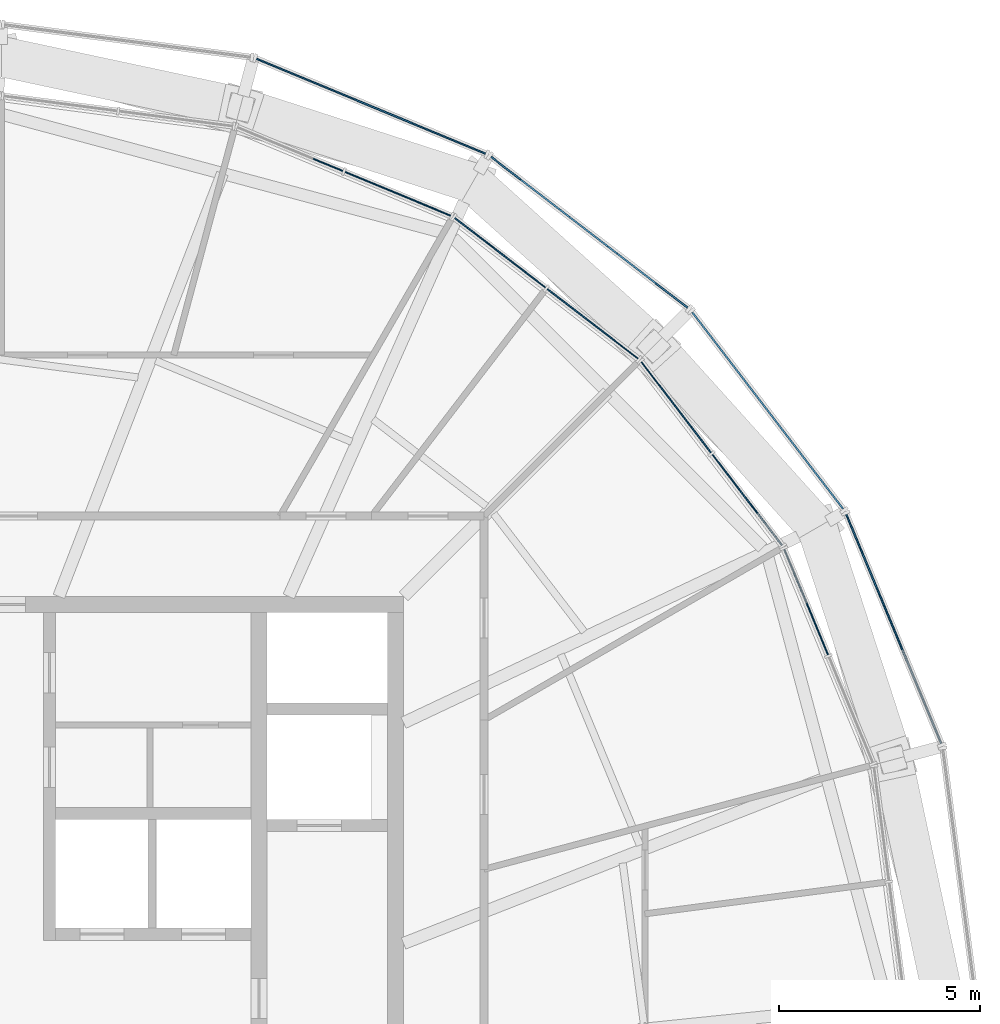
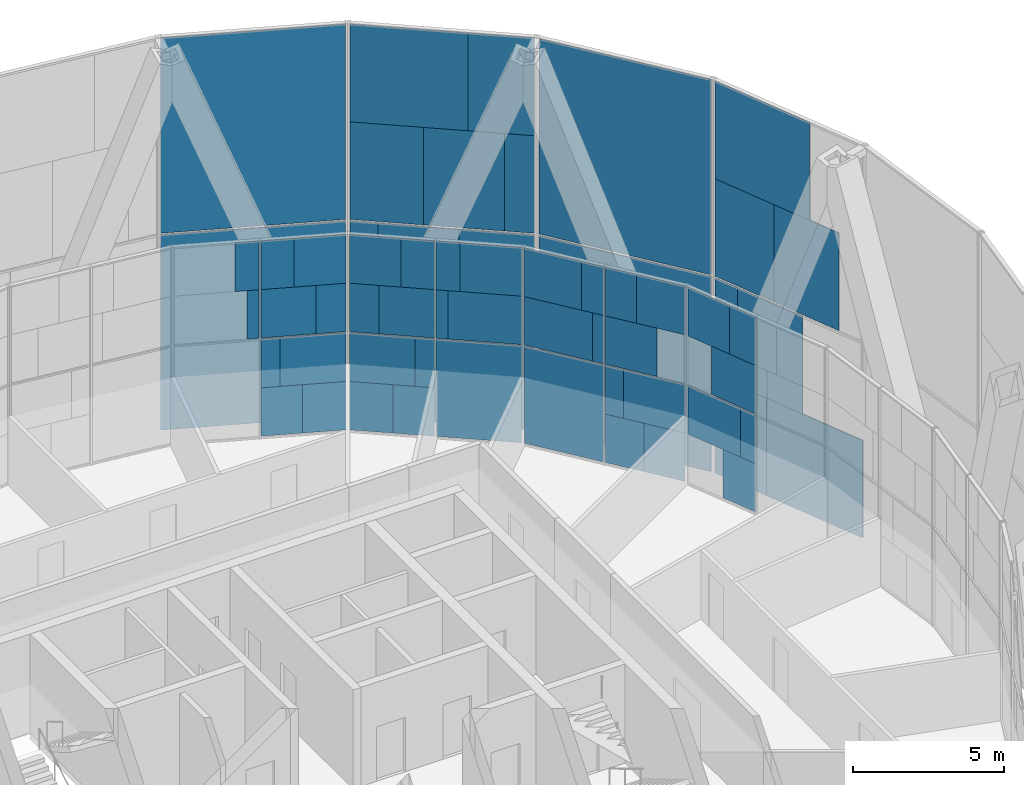
# One storey, part 17 of 22: 62 plates, 8 elements without a shape of their own.
"""IFC4 building model written with IfcOpenShell, lengths in metres."""

from ifc_helpers import new_model, si_unit, direction, frame, origin, origin_2d, place, context, subcontext, project, spatial, rectangle, extrude, material, layer, layer_set, type_object, element, aggregate, save


model = new_model("IFC4")

# Units and contexts
model_context = context("Model", 3, precision=1e-05, world=origin(), true_north=direction((0.0, 1.0)))
body_context = subcontext(model_context, "Body", "Model", "MODEL_VIEW")
ifc_project = project(units=[si_unit("LENGTHUNIT", "METRE"), si_unit("AREAUNIT", "SQUARE_METRE"), si_unit("VOLUMEUNIT", "CUBIC_METRE"), si_unit("PLANEANGLEUNIT", "RADIAN"), si_unit("MASSUNIT", "GRAM", prefix="KILO")], contexts=[model_context])

# Site, building, storey
site_placement = place(None, origin())
site = spatial("IfcSite", under=ifc_project, at=site_placement, CompositionType="ELEMENT")
building_placement = place(site_placement, origin())
building = spatial("IfcBuilding", under=site, at=building_placement, Name="Golbaran Civic Tower", CompositionType="ELEMENT")
storey_placement = place(building_placement, frame((0.0, 0.0, 248.0)))
storey = spatial("IfcBuildingStorey", under=building, at=storey_placement, Name="L60", CompositionType="ELEMENT", Elevation=248.0)

# Curtain wall, plates
ifc_material_1 = material(Name="Aluminium and glass", Category="aluminium")
curtain_wall_type_1 = type_object("IfcCurtainWallType", Name="INNER SKIN CURTAIN WALL EXECUTIVE", PredefinedType="NOTDEFINED", material=ifc_material_1)
curtain_wall_1_placement = place(storey_placement, origin())
curtain_wall_1 = element("IfcCurtainWall", 1, at=curtain_wall_1_placement, inside=storey, type_object=curtain_wall_type_1, Name="Inner skin L60 facet 2 CW2", ObjectType="INNER SKIN", PredefinedType="USERDEFINED")
ifc_material_2 = material(Name="Clear insulating glass", Category="glass")
ifc_layer_1 = layer(ifc_material_2, 0.031982421875, Name="Clear insulating glass")
ifc_layer_set_1 = layer_set([ifc_layer_1], Name="Clear insulating glass")
plate_type_1 = type_object("IfcPlateType", Name="INNER SKIN CURTAIN WALL EXECUTIVE GLAZED PANEL", PredefinedType="CURTAIN_PANEL", material=ifc_layer_set_1)
plate_1_placement = place(storey_placement, frame((20.289306640625, 9.18505859375, 0.06005859375), z_axis=(0.0, 0.0, 1.0), x_axis=(-0.382683432381, 0.923879532505, 0.0)))
plate_1 = element("IfcPlate", 2, at=plate_1_placement, type_object=plate_type_1, Name="CW2 panel 2.1 part 1", PredefinedType="CURTAIN_PANEL", context=body_context, shape_type="SweptSolid", body=[
    extrude(rectangle(XDim=1.383056640625, YDim=0.031982421875, at=origin_2d()), origin(), (0.0, 0.0, 1.0), 1.955078125),
])
plate_2_placement = place(storey_placement, frame((20.4306640625, 8.84375, 2.014892578125), z_axis=(0.0, 0.0, 1.0), x_axis=(-0.382683432381, 0.923879532505, 0.0)))
plate_2 = element("IfcPlate", 3, at=plate_2_placement, type_object=plate_type_1, Name="CW2 panel 2.1 part 3", PredefinedType="CURTAIN_PANEL", context=body_context, shape_type="SweptSolid", body=[
    extrude(rectangle(XDim=0.64404296875, YDim=0.031982421875, at=origin_2d()), origin(), (0.0, 0.0, 1.0), 1.955078125),
])
plate_3_placement = place(storey_placement, frame((19.798583984375, 10.3701171875, 5.98486328125), z_axis=(0.0, 0.0, 1.0), x_axis=(-0.382683432381, 0.923879532505, 0.0)))
plate_3 = element("IfcPlate", 4, at=plate_3_placement, type_object=plate_type_1, Name="CW2 panel 2.2 part 4", PredefinedType="CURTAIN_PANEL", context=body_context, shape_type="SweptSolid", body=[
    extrude(rectangle(XDim=1.732666015625, YDim=0.031982421875, at=origin_2d()), origin(), (0.0, 0.0, 1.0), 1.955078125),
])

curtain_wall_2_placement = place(storey_placement, origin())
curtain_wall_2 = element("IfcCurtainWall", 5, at=curtain_wall_2_placement, inside=storey, type_object=curtain_wall_type_1, Name="Inner skin L60 facet 3 CW2", ObjectType="INNER SKIN", PredefinedType="USERDEFINED")
plate_4_placement = place(storey_placement, frame((18.099365234375, 12.978271484375, 0.06005859375), z_axis=(0.0, 0.0, 1.0), x_axis=(-0.608761429078, 0.793353340238, 0.0)))
plate_4 = element("IfcPlate", 6, at=plate_4_placement, type_object=plate_type_1, Name="CW2 panel 1.1 part 2", PredefinedType="CURTAIN_PANEL", context=body_context, shape_type="SweptSolid", body=[
    extrude(rectangle(XDim=1.383544921875, YDim=0.031982421875, at=origin_2d()), origin(), (0.0, 0.0, 1.0), 1.955078125),
])
plate_5_placement = place(storey_placement, frame((17.87451171875, 13.271484375, 2.014892578125), z_axis=(0.0, 0.0, 1.0), x_axis=(-0.608761429078, 0.793353340238, 0.0)))
plate_5 = element("IfcPlate", 7, at=plate_5_placement, type_object=plate_type_1, Name="CW2 panel 1.1 part 4", PredefinedType="CURTAIN_PANEL", context=body_context, shape_type="SweptSolid", body=[
    extrude(rectangle(XDim=0.64453125, YDim=0.031982421875, at=origin_2d()), origin(), (0.0, 0.0, 1.0), 1.955078125),
])
plate_6_placement = place(storey_placement, frame((18.88037109375, 11.960693359375, 5.98486328125), z_axis=(0.0, 0.0, 1.0), x_axis=(-0.608761429078, 0.793353340238, 0.0)))
plate_6 = element("IfcPlate", 8, at=plate_6_placement, type_object=plate_type_1, Name="CW2 panel 1.2 part 3", PredefinedType="CURTAIN_PANEL", context=body_context, shape_type="SweptSolid", body=[
    extrude(rectangle(XDim=1.73193359375, YDim=0.031982421875, at=origin_2d()), origin(), (0.0, 0.0, 1.0), 1.955078125),
])
plate_7_placement = place(storey_placement, frame((16.777099609375, 14.70166015625, 0.06005859375), z_axis=(0.0, 0.0, 1.0), x_axis=(-0.608761429078, 0.793353340238, 0.0)))
plate_7 = element("IfcPlate", 9, at=plate_7_placement, type_object=plate_type_1, Name="CW2 panel 2.1", PredefinedType="CURTAIN_PANEL", context=body_context, shape_type="SweptSolid", body=[
    extrude(rectangle(XDim=2.840576171875, YDim=0.031982421875, at=origin_2d()), origin(), (0.0, 0.0, 1.0), 3.909912109375),
])
plate_8_placement = place(storey_placement, frame((16.6552734375, 14.8603515625, 4.030029296875), z_axis=(0.0, 0.0, 1.0), x_axis=(-0.608761429078, 0.793353340238, 0.0)))
plate_8 = element("IfcPlate", 10, at=plate_8_placement, type_object=plate_type_1, Name="CW2 panel 2.2 part 2", PredefinedType="CURTAIN_PANEL", context=body_context, shape_type="SweptSolid", body=[
    extrude(rectangle(XDim=2.440673828125, YDim=0.031982421875, at=origin_2d()), origin(), (0.0, 0.0, 1.0), 1.955078125),
])
plate_9_placement = place(storey_placement, frame((16.534423828125, 15.017822265625, 5.98486328125), z_axis=(0.0, 0.0, 1.0), x_axis=(-0.608761429078, 0.793353340238, 0.0)))
plate_9 = element("IfcPlate", 11, at=plate_9_placement, type_object=plate_type_1, Name="CW2 panel 2.2 part 4", PredefinedType="CURTAIN_PANEL", context=body_context, shape_type="SweptSolid", body=[
    extrude(rectangle(XDim=2.04345703125, YDim=0.031982421875, at=origin_2d()), origin(), (0.0, 0.0, 1.0), 1.955078125),
])

curtain_wall_3_placement = place(storey_placement, origin())
curtain_wall_3 = element("IfcCurtainWall", 12, at=curtain_wall_3_placement, inside=storey, type_object=curtain_wall_type_1, Name="Inner skin L60 facet 4 CW2", ObjectType="INNER SKIN", PredefinedType="USERDEFINED")
plate_10_placement = place(storey_placement, frame((14.70166015625, 16.777099609375, 0.06005859375), z_axis=(0.0, 0.0, 1.0), x_axis=(-0.793353340238, 0.608761429078, 0.0)))
plate_10 = element("IfcPlate", 13, at=plate_10_placement, type_object=plate_type_1, Name="CW2 panel 1.1", PredefinedType="CURTAIN_PANEL", context=body_context, shape_type="SweptSolid", body=[
    extrude(rectangle(XDim=2.840576171875, YDim=0.031982421875, at=origin_2d()), origin(), (0.0, 0.0, 1.0), 3.909912109375),
])
plate_11_placement = place(storey_placement, frame((14.86083984375, 16.65478515625, 4.030029296875), z_axis=(0.0, 0.0, 1.0), x_axis=(-0.793353340238, 0.608761429078, 0.0)))
plate_11 = element("IfcPlate", 14, at=plate_11_placement, type_object=plate_type_1, Name="CW2 panel 1.2 part 1", PredefinedType="CURTAIN_PANEL", context=body_context, shape_type="SweptSolid", body=[
    extrude(rectangle(XDim=2.43896484375, YDim=0.031982421875, at=origin_2d()), origin(), (0.0, 0.0, 1.0), 1.955078125),
])
plate_12_placement = place(storey_placement, frame((15.01806640625, 16.534423828125, 5.98486328125), z_axis=(0.0, 0.0, 1.0), x_axis=(-0.793353340238, 0.608761429078, 0.0)))
plate_12 = element("IfcPlate", 15, at=plate_12_placement, type_object=plate_type_1, Name="CW2 panel 1.2 part 3", PredefinedType="CURTAIN_PANEL", context=body_context, shape_type="SweptSolid", body=[
    extrude(rectangle(XDim=2.04296875, YDim=0.031982421875, at=origin_2d()), origin(), (0.0, 0.0, 1.0), 1.955078125),
])
plate_13_placement = place(storey_placement, frame((12.978515625, 18.09912109375, 0.06005859375), z_axis=(0.0, 0.0, 1.0), x_axis=(-0.793353340238, 0.608761429078, 0.0)))
plate_13 = element("IfcPlate", 16, at=plate_13_placement, type_object=plate_type_1, Name="CW2 panel 2.1 part 1", PredefinedType="CURTAIN_PANEL", context=body_context, shape_type="SweptSolid", body=[
    extrude(rectangle(XDim=1.383056640625, YDim=0.031982421875, at=origin_2d()), origin(), (0.0, 0.0, 1.0), 1.955078125),
])
plate_14_placement = place(storey_placement, frame((13.271728515625, 17.874267578125, 2.014892578125), z_axis=(0.0, 0.0, 1.0), x_axis=(-0.793353340238, 0.608761429078, 0.0)))
plate_14 = element("IfcPlate", 17, at=plate_14_placement, type_object=plate_type_1, Name="CW2 panel 2.1 part 3", PredefinedType="CURTAIN_PANEL", context=body_context, shape_type="SweptSolid", body=[
    extrude(rectangle(XDim=0.64404296875, YDim=0.031982421875, at=origin_2d()), origin(), (0.0, 0.0, 1.0), 1.955078125),
])
plate_15_placement = place(storey_placement, frame((11.667236328125, 19.10546875, 4.030029296875), z_axis=(0.0, 0.0, 1.0), x_axis=(-0.793353340238, 0.608761429078, 0.0)))
plate_15 = element("IfcPlate", 18, at=plate_15_placement, type_object=plate_type_1, Name="CW2 panel 2.2 part 2", PredefinedType="CURTAIN_PANEL", context=body_context, shape_type="SweptSolid", body=[
    extrude(rectangle(XDim=0.99267578125, YDim=0.031982421875, at=origin_2d()), origin(), (0.0, 0.0, 1.0), 1.955078125),
])
plate_16_placement = place(storey_placement, frame((11.9609375, 18.880126953125, 5.98486328125), z_axis=(0.0, 0.0, 1.0), x_axis=(-0.793353340238, 0.608761429078, 0.0)))
plate_16 = element("IfcPlate", 19, at=plate_16_placement, type_object=plate_type_1, Name="CW2 panel 2.2 part 4", PredefinedType="CURTAIN_PANEL", context=body_context, shape_type="SweptSolid", body=[
    extrude(rectangle(XDim=1.732666015625, YDim=0.031982421875, at=origin_2d()), origin(), (0.0, 0.0, 1.0), 1.955078125),
])

curtain_wall_4_placement = place(storey_placement, origin())
curtain_wall_4 = element("IfcCurtainWall", 20, at=curtain_wall_4_placement, inside=storey, type_object=curtain_wall_type_1, Name="Inner skin L60 facet 5 CW2", ObjectType="INNER SKIN", PredefinedType="USERDEFINED")
plate_17_placement = place(storey_placement, frame((9.185302734375, 20.289306640625, 0.06005859375), z_axis=(0.0, 0.0, 1.0), x_axis=(-0.923879532505, 0.382683432381, 0.0)))
plate_17 = element("IfcPlate", 21, at=plate_17_placement, type_object=plate_type_1, Name="CW2 panel 1.1 part 2", PredefinedType="CURTAIN_PANEL", context=body_context, shape_type="SweptSolid", body=[
    extrude(rectangle(XDim=1.383544921875, YDim=0.031982421875, at=origin_2d()), origin(), (0.0, 0.0, 1.0), 1.955078125),
])
plate_18_placement = place(storey_placement, frame((8.843994140625, 20.4306640625, 2.014892578125), z_axis=(0.0, 0.0, 1.0), x_axis=(-0.923879532505, 0.382683432381, 0.0)))
plate_18 = element("IfcPlate", 22, at=plate_18_placement, type_object=plate_type_1, Name="CW2 panel 1.1 part 4", PredefinedType="CURTAIN_PANEL", context=body_context, shape_type="SweptSolid", body=[
    extrude(rectangle(XDim=0.64453125, YDim=0.031982421875, at=origin_2d()), origin(), (0.0, 0.0, 1.0), 1.955078125),
])
plate_19_placement = place(storey_placement, frame((10.7119140625, 19.656982421875, 4.030029296875), z_axis=(0.0, 0.0, 1.0), x_axis=(-0.923879532505, 0.382683432381, 0.0)))
plate_19 = element("IfcPlate", 23, at=plate_19_placement, type_object=plate_type_1, Name="CW2 panel 1.2 part 1", PredefinedType="CURTAIN_PANEL", context=body_context, shape_type="SweptSolid", body=[
    extrude(rectangle(XDim=0.992919921875, YDim=0.031982421875, at=origin_2d()), origin(), (0.0, 0.0, 1.0), 1.955078125),
])
plate_20_placement = place(storey_placement, frame((10.37060546875, 19.79833984375, 5.98486328125), z_axis=(0.0, 0.0, 1.0), x_axis=(-0.923879532505, 0.382683432381, 0.0)))
plate_20 = element("IfcPlate", 24, at=plate_20_placement, type_object=plate_type_1, Name="CW2 panel 1.2 part 3", PredefinedType="CURTAIN_PANEL", context=body_context, shape_type="SweptSolid", body=[
    extrude(rectangle(XDim=1.73193359375, YDim=0.031982421875, at=origin_2d()), origin(), (0.0, 0.0, 1.0), 1.955078125),
])

# Plate
ifc_material_3 = material(Name="Aluminium faced opaque infill panel", Category="aluminium")
ifc_layer_2 = layer(ifc_material_3, 0.031982421875, Name="Aluminium faced opaque infill panel")
ifc_layer_set_2 = layer_set([ifc_layer_2], Name="Aluminium faced opaque infill panel")
plate_type_2 = type_object("IfcPlateType", Name="INNER SKIN CURTAIN WALL EXECUTIVE OPAQUE INFILL PANEL", PredefinedType="CURTAIN_PANEL", material=ifc_layer_set_2)
plate_21_placement = place(storey_placement, frame((19.88720703125, 10.15576171875, 2.014892578125), z_axis=(0.0, 0.0, 1.0), x_axis=(-0.382683432381, 0.923879532505, 0.0)))
plate_21 = element("IfcPlate", 25, at=plate_21_placement, type_object=plate_type_2, Name="CW2 infill panel 2.1 part 4", PredefinedType="CURTAIN_PANEL", context=body_context, shape_type="SweptSolid", body=[
    extrude(rectangle(XDim=2.196533203125, YDim=0.031982421875, at=origin_2d()), origin(), (0.0, 0.0, 1.0), 1.955078125),
])

plate_22_placement = place(storey_placement, frame((20.200439453125, 9.39990234375, 4.030029296875), z_axis=(0.0, 0.0, 1.0), x_axis=(-0.382683432381, 0.923879532505, 0.0)))
plate_22 = element("IfcPlate", 26, at=plate_22_placement, type_object=plate_type_2, Name="CW2 infill panel 2.2 part 1", PredefinedType="CURTAIN_PANEL", context=body_context, shape_type="SweptSolid", body=[
    extrude(rectangle(XDim=1.847900390625, YDim=0.031982421875, at=origin_2d()), origin(), (0.0, 0.0, 1.0), 1.955078125),
])

plate_23_placement = place(storey_placement, frame((20.342041015625, 9.05810546875, 5.98486328125), z_axis=(0.0, 0.0, 1.0), x_axis=(-0.382683432381, 0.923879532505, 0.0)))
plate_23 = element("IfcPlate", 27, at=plate_23_placement, type_object=plate_type_2, Name="CW2 infill panel 2.2 part 3", PredefinedType="CURTAIN_PANEL", context=body_context, shape_type="SweptSolid", body=[
    extrude(rectangle(XDim=1.10791015625, YDim=0.031982421875, at=origin_2d()), origin(), (0.0, 0.0, 1.0), 1.955078125),
])

aggregate(curtain_wall_1, [plate_1, plate_2, plate_21, plate_22, plate_23, plate_3])

plate_24_placement = place(storey_placement, frame((18.964111328125, 11.8515625, 0.06005859375), z_axis=(0.0, 0.0, 1.0), x_axis=(-0.608761429078, 0.793353340238, 0.0)))
plate_24 = element("IfcPlate", 28, at=plate_24_placement, type_object=plate_type_2, Name="CW2 infill panel 1.1 part 1", PredefinedType="CURTAIN_PANEL", context=body_context, shape_type="SweptSolid", body=[
    extrude(rectangle(XDim=1.45703125, YDim=0.031982421875, at=origin_2d()), origin(), (0.0, 0.0, 1.0), 1.955078125),
])

plate_25_placement = place(storey_placement, frame((18.739013671875, 12.144775390625, 2.014892578125), z_axis=(0.0, 0.0, 1.0), x_axis=(-0.608761429078, 0.793353340238, 0.0)))
plate_25 = element("IfcPlate", 29, at=plate_25_placement, type_object=plate_type_2, Name="CW2 infill panel 1.1 part 3", PredefinedType="CURTAIN_PANEL", context=body_context, shape_type="SweptSolid", body=[
    extrude(rectangle(XDim=2.196044921875, YDim=0.031982421875, at=origin_2d()), origin(), (0.0, 0.0, 1.0), 1.955078125),
])

plate_26_placement = place(storey_placement, frame((18.24072265625, 12.794189453125, 4.030029296875), z_axis=(0.0, 0.0, 1.0), x_axis=(-0.608761429078, 0.793353340238, 0.0)))
plate_26 = element("IfcPlate", 30, at=plate_26_placement, type_object=plate_type_2, Name="CW2 infill panel 1.2 part 2", PredefinedType="CURTAIN_PANEL", context=body_context, shape_type="SweptSolid", body=[
    extrude(rectangle(XDim=1.84765625, YDim=0.031982421875, at=origin_2d()), origin(), (0.0, 0.0, 1.0), 1.955078125),
])

plate_27_placement = place(storey_placement, frame((18.015625, 13.08740234375, 5.98486328125), z_axis=(0.0, 0.0, 1.0), x_axis=(-0.608761429078, 0.793353340238, 0.0)))
plate_27 = element("IfcPlate", 31, at=plate_27_placement, type_object=plate_type_2, Name="CW2 infill panel 1.2 part 4", PredefinedType="CURTAIN_PANEL", context=body_context, shape_type="SweptSolid", body=[
    extrude(rectangle(XDim=1.108642578125, YDim=0.031982421875, at=origin_2d()), origin(), (0.0, 0.0, 1.0), 1.955078125),
])

plate_28_placement = place(storey_placement, frame((17.52001953125, 13.7333984375, 4.030029296875), z_axis=(0.0, 0.0, 1.0), x_axis=(-0.608761429078, 0.793353340238, 0.0)))
plate_28 = element("IfcPlate", 32, at=plate_28_placement, type_object=plate_type_2, Name="CW2 infill panel 2.2 part 1", PredefinedType="CURTAIN_PANEL", context=body_context, shape_type="SweptSolid", body=[
    extrude(rectangle(XDim=0.39990234375, YDim=0.031982421875, at=origin_2d()), origin(), (0.0, 0.0, 1.0), 1.955078125),
])

plate_29_placement = place(storey_placement, frame((17.399169921875, 13.890869140625, 5.98486328125), z_axis=(0.0, 0.0, 1.0), x_axis=(-0.608761429078, 0.793353340238, 0.0)))
plate_29 = element("IfcPlate", 33, at=plate_29_placement, type_object=plate_type_2, Name="CW2 infill panel 2.2 part 3", PredefinedType="CURTAIN_PANEL", context=body_context, shape_type="SweptSolid", body=[
    extrude(rectangle(XDim=0.797119140625, YDim=0.031982421875, at=origin_2d()), origin(), (0.0, 0.0, 1.0), 1.955078125),
])

aggregate(curtain_wall_2, [plate_24, plate_4, plate_25, plate_5, plate_26, plate_6, plate_27, plate_7, plate_28, plate_8, plate_29, plate_9])

plate_30_placement = place(storey_placement, frame((13.734130859375, 17.51953125, 4.030029296875), z_axis=(0.0, 0.0, 1.0), x_axis=(-0.793353340238, 0.608761429078, 0.0)))
plate_30 = element("IfcPlate", 34, at=plate_30_placement, type_object=plate_type_2, Name="CW2 infill panel 1.2 part 2", PredefinedType="CURTAIN_PANEL", context=body_context, shape_type="SweptSolid", body=[
    extrude(rectangle(XDim=0.401611328125, YDim=0.031982421875, at=origin_2d()), origin(), (0.0, 0.0, 1.0), 1.955078125),
])

plate_31_placement = place(storey_placement, frame((13.89111328125, 17.39892578125, 5.98486328125), z_axis=(0.0, 0.0, 1.0), x_axis=(-0.793353340238, 0.608761429078, 0.0)))
plate_31 = element("IfcPlate", 35, at=plate_31_placement, type_object=plate_type_2, Name="CW2 infill panel 1.2 part 4", PredefinedType="CURTAIN_PANEL", context=body_context, shape_type="SweptSolid", body=[
    extrude(rectangle(XDim=0.797607421875, YDim=0.031982421875, at=origin_2d()), origin(), (0.0, 0.0, 1.0), 1.955078125),
])

plate_32_placement = place(storey_placement, frame((11.851806640625, 18.9638671875, 0.06005859375), z_axis=(0.0, 0.0, 1.0), x_axis=(-0.793353340238, 0.608761429078, 0.0)))
plate_32 = element("IfcPlate", 36, at=plate_32_placement, type_object=plate_type_2, Name="CW2 infill panel 2.1 part 2", PredefinedType="CURTAIN_PANEL", context=body_context, shape_type="SweptSolid", body=[
    extrude(rectangle(XDim=1.45751953125, YDim=0.031982421875, at=origin_2d()), origin(), (0.0, 0.0, 1.0), 1.955078125),
])

plate_33_placement = place(storey_placement, frame((12.14501953125, 18.73876953125, 2.014892578125), z_axis=(0.0, 0.0, 1.0), x_axis=(-0.793353340238, 0.608761429078, 0.0)))
plate_33 = element("IfcPlate", 37, at=plate_33_placement, type_object=plate_type_2, Name="CW2 infill panel 2.1 part 4", PredefinedType="CURTAIN_PANEL", context=body_context, shape_type="SweptSolid", body=[
    extrude(rectangle(XDim=2.196533203125, YDim=0.031982421875, at=origin_2d()), origin(), (0.0, 0.0, 1.0), 1.955078125),
])

plate_34_placement = place(storey_placement, frame((12.794189453125, 18.24072265625, 4.030029296875), z_axis=(0.0, 0.0, 1.0), x_axis=(-0.793353340238, 0.608761429078, 0.0)))
plate_34 = element("IfcPlate", 38, at=plate_34_placement, type_object=plate_type_2, Name="CW2 infill panel 2.2 part 1", PredefinedType="CURTAIN_PANEL", context=body_context, shape_type="SweptSolid", body=[
    extrude(rectangle(XDim=1.847900390625, YDim=0.031982421875, at=origin_2d()), origin(), (0.0, 0.0, 1.0), 1.955078125),
])

plate_35_placement = place(storey_placement, frame((13.087646484375, 18.015380859375, 5.98486328125), z_axis=(0.0, 0.0, 1.0), x_axis=(-0.793353340238, 0.608761429078, 0.0)))
plate_35 = element("IfcPlate", 39, at=plate_35_placement, type_object=plate_type_2, Name="CW2 infill panel 2.2 part 3", PredefinedType="CURTAIN_PANEL", context=body_context, shape_type="SweptSolid", body=[
    extrude(rectangle(XDim=1.10791015625, YDim=0.031982421875, at=origin_2d()), origin(), (0.0, 0.0, 1.0), 1.955078125),
])

aggregate(curtain_wall_3, [plate_10, plate_11, plate_30, plate_12, plate_31, plate_13, plate_32, plate_14, plate_33, plate_34, plate_15, plate_35, plate_16])

plate_36_placement = place(storey_placement, frame((10.49755859375, 19.745849609375, 0.06005859375), z_axis=(0.0, 0.0, 1.0), x_axis=(-0.923879532505, 0.382683432381, 0.0)))
plate_36 = element("IfcPlate", 40, at=plate_36_placement, type_object=plate_type_2, Name="CW2 infill panel 1.1 part 1", PredefinedType="CURTAIN_PANEL", context=body_context, shape_type="SweptSolid", body=[
    extrude(rectangle(XDim=1.45703125, YDim=0.031982421875, at=origin_2d()), origin(), (0.0, 0.0, 1.0), 1.955078125),
])

plate_37_placement = place(storey_placement, frame((10.15625, 19.88720703125, 2.014892578125), z_axis=(0.0, 0.0, 1.0), x_axis=(-0.923879532505, 0.382683432381, 0.0)))
plate_37 = element("IfcPlate", 41, at=plate_37_placement, type_object=plate_type_2, Name="CW2 infill panel 1.1 part 3", PredefinedType="CURTAIN_PANEL", context=body_context, shape_type="SweptSolid", body=[
    extrude(rectangle(XDim=2.196044921875, YDim=0.031982421875, at=origin_2d()), origin(), (0.0, 0.0, 1.0), 1.955078125),
])

plate_38_placement = place(storey_placement, frame((9.399658203125, 20.200439453125, 4.030029296875), z_axis=(0.0, 0.0, 1.0), x_axis=(-0.923879532505, 0.382683432381, 0.0)))
plate_38 = element("IfcPlate", 42, at=plate_38_placement, type_object=plate_type_2, Name="CW2 infill panel 1.2 part 2", PredefinedType="CURTAIN_PANEL", context=body_context, shape_type="SweptSolid", body=[
    extrude(rectangle(XDim=1.84765625, YDim=0.031982421875, at=origin_2d()), origin(), (0.0, 0.0, 1.0), 1.955078125),
])

plate_39_placement = place(storey_placement, frame((9.058349609375, 20.341796875, 5.98486328125), z_axis=(0.0, 0.0, 1.0), x_axis=(-0.923879532505, 0.382683432381, 0.0)))
plate_39 = element("IfcPlate", 43, at=plate_39_placement, type_object=plate_type_2, Name="CW2 infill panel 1.2 part 4", PredefinedType="CURTAIN_PANEL", context=body_context, shape_type="SweptSolid", body=[
    extrude(rectangle(XDim=1.108642578125, YDim=0.031982421875, at=origin_2d()), origin(), (0.0, 0.0, 1.0), 1.955078125),
])

plate_40_placement = place(storey_placement, frame((8.305908203125, 20.653564453125, 4.030029296875), z_axis=(0.0, 0.0, 1.0), x_axis=(-0.923879532505, 0.382683432381, 0.0)))
plate_40 = element("IfcPlate", 44, at=plate_40_placement, type_object=plate_type_2, Name="CW2 infill panel 2.2 part 1", PredefinedType="CURTAIN_PANEL", context=body_context, shape_type="SweptSolid", body=[
    extrude(rectangle(XDim=0.39990234375, YDim=0.031982421875, at=origin_2d()), origin(), (0.0, 0.0, 1.0), 1.955078125),
])

plate_41_placement = place(storey_placement, frame((8.12255859375, 20.7294921875, 5.98486328125), z_axis=(0.0, 0.0, 1.0), x_axis=(-0.923879532505, 0.382683432381, 0.0)))
plate_41 = element("IfcPlate", 45, at=plate_41_placement, type_object=plate_type_2, Name="CW2 infill panel 2.2 part 3", PredefinedType="CURTAIN_PANEL", context=body_context, shape_type="SweptSolid", body=[
    extrude(rectangle(XDim=0.797119140625, YDim=0.031982421875, at=origin_2d()), origin(), (0.0, 0.0, 1.0), 1.955078125),
])

aggregate(curtain_wall_4, [plate_36, plate_17, plate_37, plate_18, plate_19, plate_38, plate_20, plate_39, plate_40, plate_41])

# Curtain wall, plates
curtain_wall_type_2 = type_object("IfcCurtainWallType", Name="OUTER SKIN TERRACOTTA SCREEN", PredefinedType="NOTDEFINED", material=ifc_material_1)
curtain_wall_5_placement = place(storey_placement, origin())
curtain_wall_5 = element("IfcCurtainWall", 46, at=curtain_wall_5_placement, inside=storey, type_object=curtain_wall_type_2, Name="Outer skin L60 facet 2 CW3", ObjectType="OUTER SKIN", PredefinedType="USERDEFINED")
ifc_material_4 = material(Name="Clear laminated glass", Category="glass")
ifc_layer_3 = layer(ifc_material_4, 0.0400390625, Name="Clear laminated glass")
ifc_layer_set_3 = layer_set([ifc_layer_3], Name="Clear laminated glass")
plate_type_3 = type_object("IfcPlateType", Name="OUTER SKIN CLEAR GLASS PANEL", PredefinedType="CURTAIN_PANEL", material=ifc_layer_set_3)
plate_42_placement = place(storey_placement, frame((22.6005859375, 8.193359375, -0.6298828125), z_axis=(0.0, 0.0, 1.0), x_axis=(-0.382683432349, 0.923879532518, 0.0)))
plate_42 = element("IfcPlate", 47, at=plate_42_placement, type_object=plate_type_3, Name="CW3 panel 1.1 part 1", PredefinedType="CURTAIN_PANEL", context=body_context, shape_type="SweptSolid", body=[
    extrude(rectangle(XDim=4.0048828125, YDim=0.0400390625, at=origin_2d()), origin(), (0.0, 0.0, 1.0), 3.93994140625),
])
plate_43_placement = place(storey_placement, frame((21.1865234375, 11.607421875, 3.31005859375), z_axis=(0.0, 0.0, 1.0), x_axis=(-0.382683432349, 0.923879532518, 0.0)))
plate_43 = element("IfcPlate", 48, at=plate_43_placement, type_object=plate_type_3, Name="CW3 panel 1.1 part 5", PredefinedType="CURTAIN_PANEL", context=body_context, shape_type="SweptSolid", body=[
    extrude(rectangle(XDim=0.931396484375, YDim=0.0400390625, at=origin_2d()), origin(), (0.0, 0.0, 1.0), 3.93994140625),
])
plate_44_placement = place(storey_placement, frame((21.4775390625, 10.90478515625, 7.330078125), z_axis=(0.0, 0.0, 1.0), x_axis=(-0.382683432349, 0.923879532518, 0.0)))
plate_44 = element("IfcPlate", 49, at=plate_44_placement, type_object=plate_type_3, Name="CW3 panel 1.2 part 3", PredefinedType="CURTAIN_PANEL", context=body_context, shape_type="SweptSolid", body=[
    extrude(rectangle(XDim=2.452392578125, YDim=0.0400390625, at=origin_2d()), origin(), (0.0, 0.0, 1.0), 3.93994140625),
])
plate_45_placement = place(storey_placement, frame((21.76416015625, 10.212646484375, 11.27001953125), z_axis=(0.0, 0.0, 1.0), x_axis=(-0.382683432349, 0.923879532518, 0.0)))
plate_45 = element("IfcPlate", 50, at=plate_45_placement, type_object=plate_type_3, Name="CW3 panel 1.2 part 5", PredefinedType="CURTAIN_PANEL", context=body_context, shape_type="SweptSolid", body=[
    extrude(rectangle(XDim=3.950439453125, YDim=0.0400390625, at=origin_2d()), origin(), (0.0, 0.0, 1.0), 3.93994140625),
])

curtain_wall_6_placement = place(storey_placement, origin())
curtain_wall_6 = element("IfcCurtainWall", 51, at=curtain_wall_6_placement, inside=storey, type_object=curtain_wall_type_2, Name="Outer skin L60 facet 4 CW3", ObjectType="OUTER SKIN", PredefinedType="USERDEFINED")
plate_46_placement = place(storey_placement, frame((15.47607421875, 18.39599609375, -0.6298828125), z_axis=(0.0, 0.0, 1.0), x_axis=(-0.793353340323, 0.608761428967, 0.0)))
plate_46 = element("IfcPlate", 52, at=plate_46_placement, type_object=plate_type_3, Name="CW3 panel 1.1 part 1", PredefinedType="CURTAIN_PANEL", context=body_context, shape_type="SweptSolid", body=[
    extrude(rectangle(XDim=4.0048828125, YDim=0.0400390625, at=origin_2d()), origin(), (0.0, 0.0, 1.0), 3.93994140625),
])
plate_47_placement = place(storey_placement, frame((16.067138671875, 17.9423828125, 3.31005859375), z_axis=(0.0, 0.0, 1.0), x_axis=(-0.793353340323, 0.608761428967, 0.0)))
plate_47 = element("IfcPlate", 53, at=plate_47_placement, type_object=plate_type_3, Name="CW3 panel 1.1 part 3", PredefinedType="CURTAIN_PANEL", context=body_context, shape_type="SweptSolid", body=[
    extrude(rectangle(XDim=2.514892578125, YDim=0.0400390625, at=origin_2d()), origin(), (0.0, 0.0, 1.0), 3.93994140625),
])
plate_48_placement = place(storey_placement, frame((12.54443359375, 20.6455078125, 3.31005859375), z_axis=(0.0, 0.0, 1.0), x_axis=(-0.793353340323, 0.608761428967, 0.0)))
plate_48 = element("IfcPlate", 54, at=plate_48_placement, type_object=plate_type_3, Name="CW3 panel 1.1 part 5", PredefinedType="CURTAIN_PANEL", context=body_context, shape_type="SweptSolid", body=[
    extrude(rectangle(XDim=0.931396484375, YDim=0.0400390625, at=origin_2d()), origin(), (0.0, 0.0, 1.0), 3.93994140625),
])
plate_49_placement = place(storey_placement, frame((16.670166015625, 17.479736328125, 7.330078125), z_axis=(0.0, 0.0, 1.0), x_axis=(-0.793353340323, 0.608761428967, 0.0)))
plate_49 = element("IfcPlate", 55, at=plate_49_placement, type_object=plate_type_3, Name="CW3 panel 1.2 part 1", PredefinedType="CURTAIN_PANEL", context=body_context, shape_type="SweptSolid", body=[
    extrude(rectangle(XDim=0.9951171875, YDim=0.0400390625, at=origin_2d()), origin(), (0.0, 0.0, 1.0), 3.93994140625),
])
plate_50_placement = place(storey_placement, frame((13.147705078125, 20.1826171875, 7.330078125), z_axis=(0.0, 0.0, 1.0), x_axis=(-0.793353340323, 0.608761428967, 0.0)))
plate_50 = element("IfcPlate", 56, at=plate_50_placement, type_object=plate_type_3, Name="CW3 panel 1.2 part 3", PredefinedType="CURTAIN_PANEL", context=body_context, shape_type="SweptSolid", body=[
    extrude(rectangle(XDim=2.452392578125, YDim=0.0400390625, at=origin_2d()), origin(), (0.0, 0.0, 1.0), 3.93994140625),
])
plate_51_placement = place(storey_placement, frame((13.741943359375, 19.7265625, 11.27001953125), z_axis=(0.0, 0.0, 1.0), x_axis=(-0.793353340323, 0.608761428967, 0.0)))
plate_51 = element("IfcPlate", 57, at=plate_51_placement, type_object=plate_type_3, Name="CW3 panel 1.2 part 5", PredefinedType="CURTAIN_PANEL", context=body_context, shape_type="SweptSolid", body=[
    extrude(rectangle(XDim=3.950439453125, YDim=0.0400390625, at=origin_2d()), origin(), (0.0, 0.0, 1.0), 3.93994140625),
])

# Plate
ifc_material_5 = material(Name="Terracotta baguette screen", Category="masonry")
ifc_layer_4 = layer(ifc_material_5, 0.0400390625, Name="Terracotta baguette screen")
ifc_layer_set_4 = layer_set([ifc_layer_4], Name="Terracotta baguette screen")
plate_type_4 = type_object("IfcPlateType", Name="OUTER SKIN TERRACOTTA INFILL PANEL", PredefinedType="CURTAIN_PANEL", material=ifc_layer_set_4)
plate_52_placement = place(storey_placement, frame((21.42138671875, 11.04052734375, -0.6298828125), z_axis=(0.0, 0.0, 1.0), x_axis=(-0.382683432349, 0.923879532518, 0.0)))
plate_52 = element("IfcPlate", 58, at=plate_52_placement, type_object=plate_type_4, Name="CW3 infill panel 1.1 part 2", PredefinedType="CURTAIN_PANEL", context=body_context, shape_type="SweptSolid", body=[
    extrude(rectangle(XDim=2.158447265625, YDim=0.0400390625, at=origin_2d()), origin(), (0.0, 0.0, 1.0), 3.93994140625),
])

plate_53_placement = place(storey_placement, frame((21.884765625, 9.921875, 3.31005859375), z_axis=(0.0, 0.0, 1.0), x_axis=(-0.382683432349, 0.923879532518, 0.0)))
plate_53 = element("IfcPlate", 59, at=plate_53_placement, type_object=plate_type_4, Name="CW3 infill panel 1.1 part 4", PredefinedType="CURTAIN_PANEL", context=body_context, shape_type="SweptSolid", body=[
    extrude(rectangle(XDim=2.717041015625, YDim=0.0400390625, at=origin_2d()), origin(), (0.0, 0.0, 1.0), 3.93994140625),
])

plate_54_placement = place(storey_placement, frame((22.466552734375, 8.51708984375, 7.330078125), z_axis=(0.0, 0.0, 1.0), x_axis=(-0.382683432349, 0.923879532518, 0.0)))
plate_54 = element("IfcPlate", 60, at=plate_54_placement, type_object=plate_type_4, Name="CW3 infill panel 1.2 part 2", PredefinedType="CURTAIN_PANEL", context=body_context, shape_type="SweptSolid", body=[
    extrude(rectangle(XDim=2.716064453125, YDim=0.0400390625, at=origin_2d()), origin(), (0.0, 0.0, 1.0), 3.93994140625),
])

aggregate(curtain_wall_5, [plate_42, plate_52, plate_53, plate_43, plate_54, plate_44, plate_45])

plate_55_placement = place(storey_placement, frame((13.03125, 20.27197265625, -0.6298828125), z_axis=(0.0, 0.0, 1.0), x_axis=(-0.793353340323, 0.608761428967, 0.0)))
plate_55 = element("IfcPlate", 61, at=plate_55_placement, type_object=plate_type_4, Name="CW3 infill panel 1.1 part 2", PredefinedType="CURTAIN_PANEL", context=body_context, shape_type="SweptSolid", body=[
    extrude(rectangle(XDim=2.158447265625, YDim=0.0400390625, at=origin_2d()), origin(), (0.0, 0.0, 1.0), 3.93994140625),
])

plate_56_placement = place(storey_placement, frame((13.99169921875, 19.534912109375, 3.31005859375), z_axis=(0.0, 0.0, 1.0), x_axis=(-0.793353340323, 0.608761428967, 0.0)))
plate_56 = element("IfcPlate", 62, at=plate_56_placement, type_object=plate_type_4, Name="CW3 infill panel 1.1 part 4", PredefinedType="CURTAIN_PANEL", context=body_context, shape_type="SweptSolid", body=[
    extrude(rectangle(XDim=2.717041015625, YDim=0.0400390625, at=origin_2d()), origin(), (0.0, 0.0, 1.0), 3.93994140625),
])

plate_57_placement = place(storey_placement, frame((15.197998046875, 18.609375, 7.330078125), z_axis=(0.0, 0.0, 1.0), x_axis=(-0.793353340323, 0.608761428967, 0.0)))
plate_57 = element("IfcPlate", 63, at=plate_57_placement, type_object=plate_type_4, Name="CW3 infill panel 1.2 part 2", PredefinedType="CURTAIN_PANEL", context=body_context, shape_type="SweptSolid", body=[
    extrude(rectangle(XDim=2.716064453125, YDim=0.0400390625, at=origin_2d()), origin(), (0.0, 0.0, 1.0), 3.93994140625),
])

plate_58_placement = place(storey_placement, frame((16.18701171875, 17.8505859375, 11.27001953125), z_axis=(0.0, 0.0, 1.0), x_axis=(-0.793353340323, 0.608761428967, 0.0)))
plate_58 = element("IfcPlate", 64, at=plate_58_placement, type_object=plate_type_4, Name="CW3 infill panel 1.2 part 4", PredefinedType="CURTAIN_PANEL", context=body_context, shape_type="SweptSolid", body=[
    extrude(rectangle(XDim=2.212890625, YDim=0.0400390625, at=origin_2d()), origin(), (0.0, 0.0, 1.0), 3.93994140625),
])

aggregate(curtain_wall_6, [plate_46, plate_55, plate_47, plate_56, plate_48, plate_49, plate_57, plate_50, plate_58, plate_51])

# Curtain wall, plates
curtain_wall_7_placement = place(storey_placement, origin())
curtain_wall_7 = element("IfcCurtainWall", 65, at=curtain_wall_7_placement, inside=storey, type_object=curtain_wall_type_2, Name="Outer skin L60 facet 3 CW3", ObjectType="OUTER SKIN", PredefinedType="USERDEFINED")
ifc_layer_5 = layer(ifc_material_5, 0.0400390625, Name="Terracotta baguette screen")
ifc_layer_set_5 = layer_set([ifc_layer_5], Name="Terracotta baguette screen")
plate_type_5 = type_object("IfcPlateType", Name="OUTER SKIN TERRACOTTA SCREEN PANEL", PredefinedType="CURTAIN_PANEL", material=ifc_layer_set_5)
plate_59_placement = place(storey_placement, frame((19.052978515625, 14.619873046875, -0.6298828125), z_axis=(0.0, 0.0, 1.0), x_axis=(-0.608761428967, 0.793353340323, 0.0)))
plate_59 = element("IfcPlate", 66, at=plate_59_placement, type_object=plate_type_5, Name="CW3 terracotta screen panel 1.1", PredefinedType="CURTAIN_PANEL", context=body_context, shape_type="SweptSolid", body=[
    extrude(rectangle(XDim=6.16357421875, YDim=0.0400390625, at=origin_2d()), origin(), (0.0, 0.0, 1.0), 7.8798828125),
])
plate_60_placement = place(storey_placement, frame((19.052978515625, 14.619873046875, 7.330078125), z_axis=(0.0, 0.0, 1.0), x_axis=(-0.608761428967, 0.793353340323, 0.0)))
plate_60 = element("IfcPlate", 67, at=plate_60_placement, type_object=plate_type_5, Name="CW3 terracotta screen panel 1.2", PredefinedType="CURTAIN_PANEL", context=body_context, shape_type="SweptSolid", body=[
    extrude(rectangle(XDim=6.16357421875, YDim=0.0400390625, at=origin_2d()), origin(), (0.0, 0.0, 1.0), 7.8798828125),
])
aggregate(curtain_wall_7, [plate_59, plate_60])

curtain_wall_8_placement = place(storey_placement, origin())
curtain_wall_8 = element("IfcCurtainWall", 68, at=curtain_wall_8_placement, inside=storey, type_object=curtain_wall_type_2, Name="Outer skin L60 facet 5 CW3", ObjectType="OUTER SKIN", PredefinedType="USERDEFINED")
plate_61_placement = place(storey_placement, frame((9.1904296875, 22.187744140625, -0.6298828125), z_axis=(0.0, 0.0, 1.0), x_axis=(-0.923879532518, 0.382683432349, 0.0)))
plate_61 = element("IfcPlate", 69, at=plate_61_placement, type_object=plate_type_5, Name="CW3 terracotta screen panel 1.1", PredefinedType="CURTAIN_PANEL", context=body_context, shape_type="SweptSolid", body=[
    extrude(rectangle(XDim=6.16357421875, YDim=0.0400390625, at=origin_2d()), origin(), (0.0, 0.0, 1.0), 7.8798828125),
])
plate_62_placement = place(storey_placement, frame((9.1904296875, 22.187744140625, 7.330078125), z_axis=(0.0, 0.0, 1.0), x_axis=(-0.923879532518, 0.382683432349, 0.0)))
plate_62 = element("IfcPlate", 70, at=plate_62_placement, type_object=plate_type_5, Name="CW3 terracotta screen panel 1.2", PredefinedType="CURTAIN_PANEL", context=body_context, shape_type="SweptSolid", body=[
    extrude(rectangle(XDim=6.16357421875, YDim=0.0400390625, at=origin_2d()), origin(), (0.0, 0.0, 1.0), 7.8798828125),
])
aggregate(curtain_wall_8, [plate_61, plate_62])

save(model, "model.ifc")
